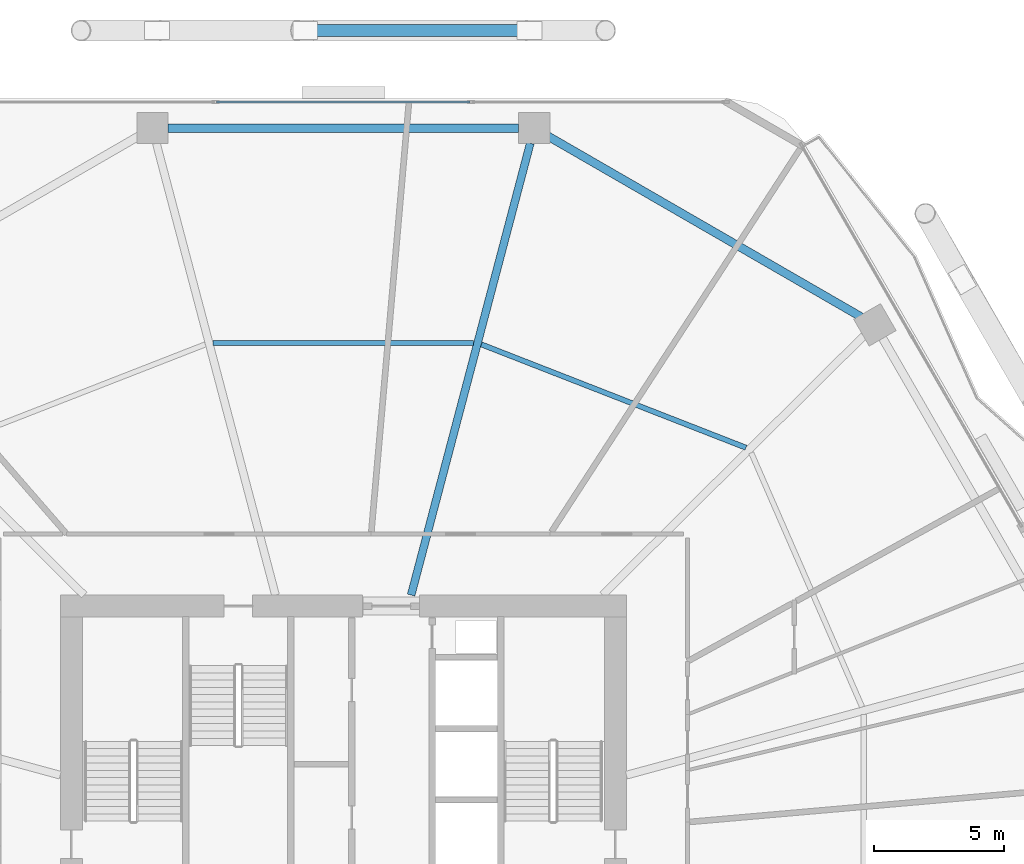
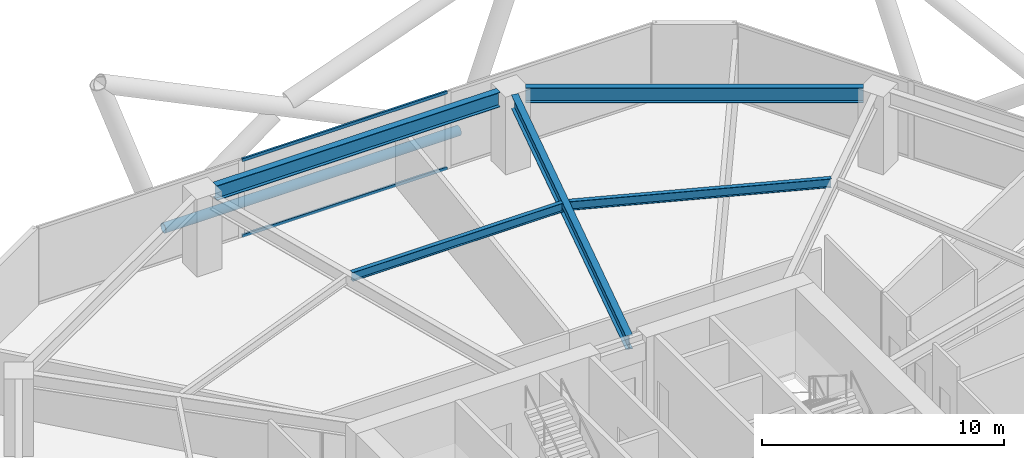
# One storey, part 20 of 30: 5 beams, 3 members, 1 element without a shape of its own.
"""IFC4 building model written with IfcOpenShell, lengths in metres."""

from ifc_helpers import new_model, si_unit, direction, frame, origin, origin_2d, place, context, subcontext, project, spatial, hollow_rectangle, hollow_circle, i_section, extrude, material, material_profile, profile_set, type_object, element, aggregate, save


model = new_model("IFC4")

# Units and contexts
model_context = context("Model", 3, precision=1e-05, world=origin(), true_north=direction((0.0, 1.0)))
body_context = subcontext(model_context, "Body", "Model", "MODEL_VIEW")
ifc_project = project(units=[si_unit("LENGTHUNIT", "METRE"), si_unit("AREAUNIT", "SQUARE_METRE"), si_unit("VOLUMEUNIT", "CUBIC_METRE"), si_unit("PLANEANGLEUNIT", "RADIAN"), si_unit("MASSUNIT", "GRAM", prefix="KILO")], contexts=[model_context])

# Site, building, storey
site_placement = place(None, origin())
site = spatial("IfcSite", under=ifc_project, at=site_placement, CompositionType="ELEMENT")
building_placement = place(site_placement, origin())
building = spatial("IfcBuilding", under=site, at=building_placement, Name="Zuhravey Tower", CompositionType="ELEMENT")
storey_placement = place(building_placement, frame((0.0, 0.0, 16.199951171875)))
storey = spatial("IfcBuildingStorey", under=building, at=storey_placement, Name="L04", CompositionType="ELEMENT", Elevation=16.199951171875)

# Curtain wall, members
ifc_material_1 = material(Name="Thermally broken anodised aluminium", Category="aluminium")
curtain_wall_type = type_object("IfcCurtainWallType", Name="School Low-E Unitised Curtain Wall CW1", PredefinedType="NOTDEFINED", material=ifc_material_1)
curtain_wall_placement = place(storey_placement, origin())
curtain_wall = element("IfcCurtainWall", 1, at=curtain_wall_placement, inside=storey, type_object=curtain_wall_type, Name="L04 CW1 CW-L04-F2-1", PredefinedType="NOTDEFINED")
ifc_material_2 = material(Name="Anodised aluminium", Category="aluminium")
ifc_material_profile_1 = material_profile(ifc_material_2, hollow_rectangle(XDim=0.090087890625, YDim=0.14990234375, WallThickness=0.0048828125, at=origin_2d()), Name="ALU-RHS-90x150x5")
ifc_profile_set_1 = profile_set([ifc_material_profile_1], Name="Anodised aluminium")
member_type_1 = type_object("IfcMemberType", Name="Curtain-Wall Transom 90x150", PredefinedType="USERDEFINED", material=ifc_profile_set_1)
member_1_placement = place(storey_placement, frame((31.11181640625, 60.95849609375, 0.045166015625), z_axis=(1.0, 0.0, 0.0), x_axis=(0.0, 1.0, 0.0)))
member_1 = element("IfcMember", 2, at=member_1_placement, type_object=member_type_1, Name="CW1 transom 2.1", ObjectType="TRANSOM", PredefinedType="USERDEFINED", context=body_context, shape_type="SweptSolid", body=[
    extrude(hollow_rectangle(XDim=0.090087890625, YDim=0.14990234375, WallThickness=0.0048828125, at=origin_2d()), origin(), (0.0, 0.0, 1.0), 9.7763671875),
])
member_2_placement = place(storey_placement, frame((31.11181640625, 60.95849609375, 3.875), z_axis=(1.0, 0.0, 0.0), x_axis=(0.0, 1.0, 0.0)))
member_2 = element("IfcMember", 3, at=member_2_placement, type_object=member_type_1, Name="CW1 transom 2.2", ObjectType="TRANSOM", PredefinedType="USERDEFINED", context=body_context, shape_type="SweptSolid", body=[
    extrude(hollow_rectangle(XDim=0.090087890625, YDim=0.14990234375, WallThickness=0.0048828125, at=origin_2d()), origin(), (0.0, 0.0, 1.0), 9.7763671875),
])
aggregate(curtain_wall, [member_1, member_2])

# Member
ifc_material_3 = material(Name="Steel SM355", Category="steel")
ifc_material_profile_2 = material_profile(ifc_material_3, hollow_circle(Radius=0.228515625, WallThickness=0.02197265625, at=origin_2d()), Name="CHS-457.2x22")
ifc_profile_set_2 = profile_set([ifc_material_profile_2], Name="Steel SM355")
member_type_2 = type_object("IfcMemberType", Name="Exoskeleton Ring Tie CHS457x22", PredefinedType="CHORD", material=ifc_profile_set_2)
member_3_placement = place(storey_placement, frame((43.053955078125, 63.718505859375, -0.493896484375), z_axis=(-1.0, 0.0, 0.0), x_axis=(0.0, -1.0, 0.0)))
element("IfcMember", 4, at=member_3_placement, inside=storey, type_object=member_type_2, Name="L04 Exoskeleton Face 2 Tie EXR1", PredefinedType="CHORD", context=body_context, shape_type="SweptSolid", body=[
    extrude(hollow_circle(Radius=0.228515625, WallThickness=0.02197265625, at=origin_2d()), origin(), (0.0, 0.0, 1.0), 14.10791015625),
])

# Beams
ifc_material_profile_3 = material_profile(ifc_material_3, i_section(OverallWidth=0.320068359375, OverallDepth=0.75, WebThickness=0.013916015625, FlangeThickness=0.02490234375, at=origin_2d()), Name="H-750x320x14x25")
ifc_profile_set_3 = profile_set([ifc_material_profile_3], Name="Steel SM355")
beam_type_1 = type_object("IfcBeamType", Name="Perimeter Ring Beam H750x320", PredefinedType="BEAM", material=ifc_profile_set_3)
beam_1_placement = place(storey_placement, frame((55.996826171875, 52.658447265625, 3.545166015625), z_axis=(-0.866029969761, 0.499992091414, 0.0), x_axis=(-0.499992091414, -0.866029969761, 0.0)))
element("IfcBeam", 5, at=beam_1_placement, inside=storey, type_object=beam_type_1, Name="L04 PB1 BM-L04-PB-02", PredefinedType="BEAM", context=body_context, shape_type="SweptSolid", body=[
    extrude(i_section(OverallWidth=0.320068359375, OverallDepth=0.75, WebThickness=0.013916015625, FlangeThickness=0.02490234375, at=origin_2d()), origin(), (0.0, 0.0, 1.0), 13.977294921875),
])
beam_2_placement = place(storey_placement, frame((42.76708984375, 59.948486328125, 3.545166015625), z_axis=(-1.0, 0.0, 0.0), x_axis=(0.0, -1.0, 0.0)))
element("IfcBeam", 6, at=beam_2_placement, inside=storey, type_object=beam_type_1, Name="L04 PB1 BM-L04-PB-03", PredefinedType="BEAM", context=body_context, shape_type="SweptSolid", body=[
    extrude(i_section(OverallWidth=0.320068359375, OverallDepth=0.75, WebThickness=0.013916015625, FlangeThickness=0.02490234375, at=origin_2d()), origin(), (0.0, 0.0, 1.0), 13.5341796875),
])
ifc_material_profile_4 = material_profile(ifc_material_3, i_section(OverallWidth=0.300048828125, OverallDepth=0.699951171875, WebThickness=0.012939453125, FlangeThickness=0.02392578125, at=origin_2d()), Name="H-700x300x13x24")
ifc_profile_set_4 = profile_set([ifc_material_profile_4], Name="Steel SM355")
beam_type_2 = type_object("IfcBeamType", Name="Radial Primary Girder H700x300", PredefinedType="BEAM", material=ifc_profile_set_4)
beam_3_placement = place(storey_placement, frame((38.617919921875, 41.927978515625, 3.570068359375), z_axis=(0.254989720435, 0.966943763862, 0.0), x_axis=(-0.966943763862, 0.254989720435, 0.0)))
element("IfcBeam", 7, at=beam_3_placement, inside=storey, type_object=beam_type_2, Name="L04 RG1 BM-L04-RAD-03", PredefinedType="BEAM", context=body_context, shape_type="SweptSolid", body=[
    extrude(i_section(OverallWidth=0.300048828125, OverallDepth=0.699951171875, WebThickness=0.012939453125, FlangeThickness=0.02392578125, at=origin_2d()), origin(), (0.0, 0.0, 1.0), 18.03369140625),
])
ifc_material_profile_5 = material_profile(ifc_material_3, i_section(OverallWidth=0.199951171875, OverallDepth=0.449951171875, WebThickness=0.009033203125, FlangeThickness=0.013916015625, at=origin_2d()), Name="H-450x200x9x14")
ifc_profile_set_5 = profile_set([ifc_material_profile_5], Name="Steel SM355")
beam_type_3 = type_object("IfcBeamType", Name="Secondary Floor Joist H450x200", PredefinedType="JOIST", material=ifc_profile_set_5)
beam_4_placement = place(storey_placement, frame((51.5400390625, 47.61572265625, 3.695068359375), z_axis=(-0.931516535886, 0.363698973562, 0.0), x_axis=(-0.363698973562, -0.931516535886, 0.0)))
element("IfcBeam", 8, at=beam_4_placement, inside=storey, type_object=beam_type_3, Name="L04 SJ1 BM-L04-SJ-02-1", PredefinedType="JOIST", context=body_context, shape_type="SweptSolid", body=[
    extrude(i_section(OverallWidth=0.199951171875, OverallDepth=0.449951171875, WebThickness=0.009033203125, FlangeThickness=0.013916015625, at=origin_2d()), origin(), (0.0, 0.0, 1.0), 10.963134765625),
])
beam_5_placement = place(storey_placement, frame((41.030029296875, 51.6591796875, 3.695068359375), z_axis=(-1.0, 0.0, 0.0), x_axis=(0.0, -1.0, 0.0)))
element("IfcBeam", 9, at=beam_5_placement, inside=storey, type_object=beam_type_3, Name="L04 SJ1 BM-L04-SJ-03-1", PredefinedType="JOIST", context=body_context, shape_type="SweptSolid", body=[
    extrude(i_section(OverallWidth=0.199951171875, OverallDepth=0.449951171875, WebThickness=0.009033203125, FlangeThickness=0.013916015625, at=origin_2d()), origin(), (0.0, 0.0, 1.0), 10.06005859375),
])

save(model, "model.ifc")
